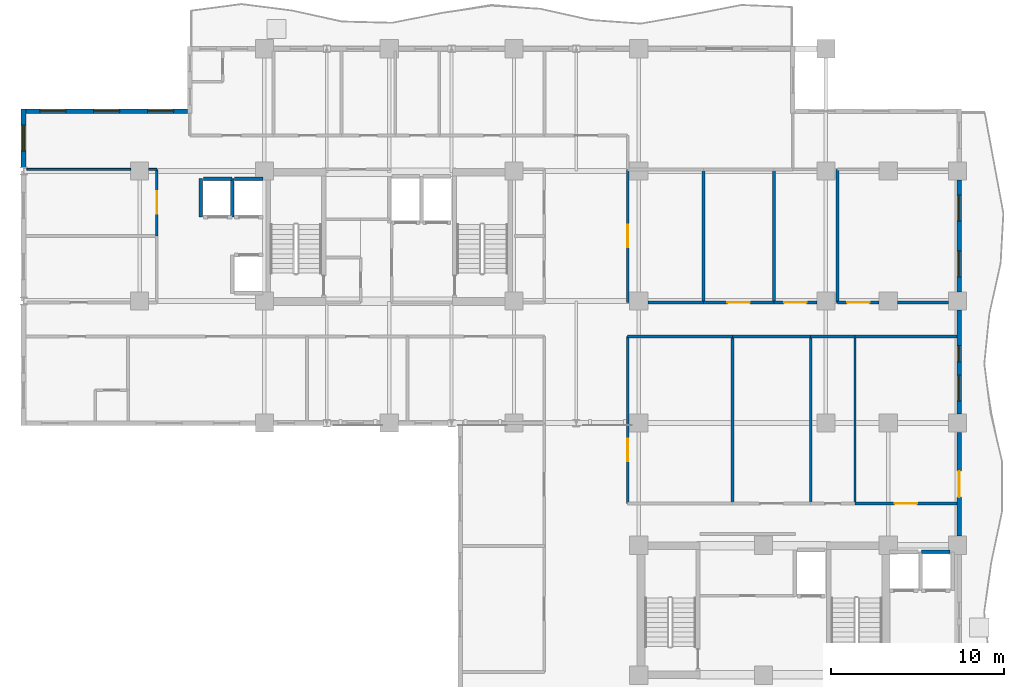
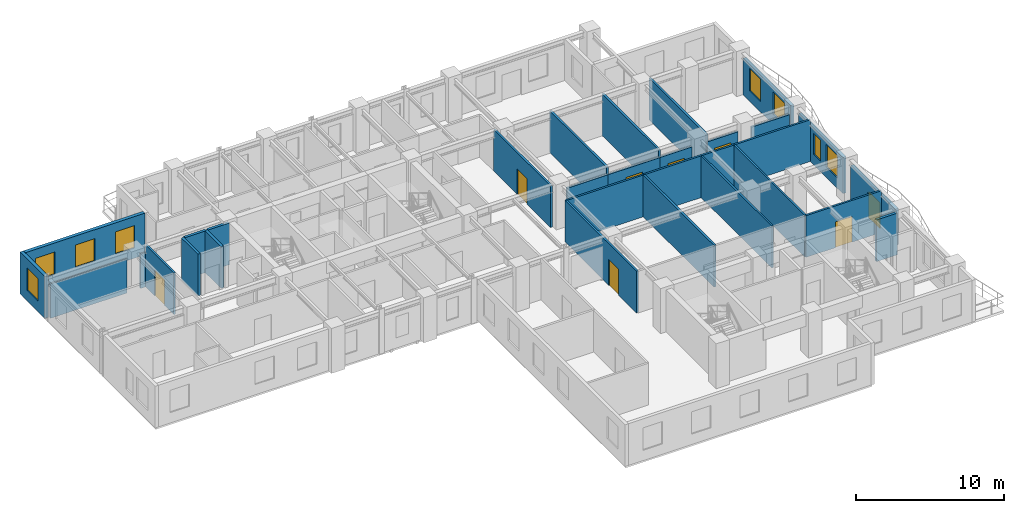
# One storey, part 7 of 13: 31 walls, 8 doors, 8 windows, 16 openings.
"""IFC4 building model written with IfcOpenShell, lengths in metres."""

from ifc_helpers import new_model, si_unit, direction, frame, frame_2d, origin, place, context, subcontext, project, spatial, rectangle, extrude, material, layer, layer_set, type_object, element, fill, save


model = new_model("IFC4")

# Units and contexts
model_context = context("Model", 3, precision=1e-05, world=origin(), true_north=direction((0.0, 1.0)))
body_context = subcontext(model_context, "Body", "Model", "MODEL_VIEW")
ifc_project = project(units=[si_unit("LENGTHUNIT", "METRE"), si_unit("AREAUNIT", "SQUARE_METRE"), si_unit("VOLUMEUNIT", "CUBIC_METRE"), si_unit("PLANEANGLEUNIT", "RADIAN"), si_unit("MASSUNIT", "GRAM", prefix="KILO")], contexts=[model_context])

# Site, building, storey
site_placement = place(None, origin())
site = spatial("IfcSite", under=ifc_project, at=site_placement, CompositionType="ELEMENT")
building_placement = place(site_placement, origin())
building = spatial("IfcBuilding", under=site, at=building_placement, Name="Kaliganga Portal Commons", CompositionType="ELEMENT")
storey_placement = place(building_placement, frame((0.0, 0.0, 180.89990234375)))
storey = spatial("IfcBuildingStorey", under=building, at=storey_placement, Name="L46", CompositionType="ELEMENT", Elevation=180.89990234375)

# Wall, opening, door
ifc_material_1 = material(Name="Insulated Aluminium-Clad Spandrel Assembly", Category="aluminium")
ifc_layer_1 = layer(ifc_material_1, 0.260009765625)
ifc_layer_set_1 = layer_set([ifc_layer_1], Name="Insulated Aluminium-Clad Spandrel Assembly")
wall_type_1 = type_object("IfcWallType", Name="WL-EXT-SPAND-260", PredefinedType="STANDARD", material=ifc_layer_set_1)
wall_1_placement = place(storey_placement, frame((54.5, 21.073974609375, 0.0), z_axis=(0.0, 0.0, 1.0), x_axis=(0.0, -1.0, 0.0)))
wall_1 = element("IfcWall", 1, at=wall_1_placement, inside=storey, type_object=wall_type_1, Name="Exterior Envelope Wall L46 P1-E03-S3", PredefinedType="STANDARD", context=body_context, shape_type="SweptSolid", body=[
    extrude(rectangle(XDim=5.998046875, YDim=0.260009765625, at=frame_2d((2.9990234375, 0.0))), origin(), (0.0, 0.0, 1.0), 2.989990234375),
])
opening_1_placement = place(wall_1_placement, frame((2.2490234375, 0.0, 0.0)))
opening_1 = element("IfcOpeningElement", 2, at=opening_1_placement, cuts=wall_1, Name="Opening BD-01", PredefinedType="OPENING", context=body_context, shape_type="SweptSolid", body=[
    extrude(rectangle(XDim=1.5, YDim=2.14990234375, at=frame_2d((0.75, 1.074951171875))), frame((0.0, 0.14013671875, 0.0), z_axis=(0.0, -1.0, 0.0), x_axis=(1.0, 0.0, 0.0)), (0.0, 0.0, 1.0), 0.280029296875),
])
ifc_material_2 = material(Name="Anodized Aluminium and Laminated Safety Glass", Category="aluminium")
door_type_1 = type_object("IfcDoorType", Name="DR-BALC-1500", OperationType="SLIDING_TO_LEFT", PredefinedType="DOOR", material=ifc_material_2)
door_1_placement = place(opening_1_placement, origin())
door_1 = element("IfcDoor", 3, at=door_1_placement, inside=storey, type_object=door_type_1, Name="Balcony Sliding Door L46 balc_east", OperationType="SLIDING_TO_LEFT", OverallHeight=2.14990234375, OverallWidth=1.5, PredefinedType="DOOR", context=body_context, shape_type="SweptSolid", body=[
    extrude(rectangle(XDim=1.5, YDim=2.14990234375, at=frame_2d((0.75, 1.074951171875))), frame((0.0, 0.02490234375, 0.0), z_axis=(0.0, -1.0, 0.0), x_axis=(1.0, 0.0, 0.0)), (0.0, 0.0, 1.0), 0.050048828125),
])
fill(opening_1, door_1)

# Wall, openings, windows
wall_2_placement = place(storey_placement, frame((54.5, 28.1240234375, 0.0), z_axis=(0.0, 0.0, 1.0), x_axis=(0.0, -1.0, 0.0)))
wall_2 = element("IfcWall", 4, at=wall_2_placement, inside=storey, type_object=wall_type_1, Name="Exterior Envelope Wall L46 P1-E03-S4", PredefinedType="STANDARD", context=body_context, shape_type="SweptSolid", body=[
    extrude(rectangle(XDim=5.998046875, YDim=0.260009765625, at=frame_2d((2.9990234375, 0.0))), origin(), (0.0, 0.0, 1.0), 2.989990234375),
])
opening_2_placement = place(wall_2_placement, frame((3.74853515625, 0.0, 0.85009765625)))
opening_2 = element("IfcOpeningElement", 5, at=opening_2_placement, cuts=wall_2, Name="Opening W-02", PredefinedType="OPENING", context=body_context, shape_type="SweptSolid", body=[
    extrude(rectangle(XDim=1.5, YDim=1.85009765625, at=frame_2d((0.75, 0.925048828125))), frame((0.0, 0.14013671875, 0.0), z_axis=(0.0, -1.0, 0.0), x_axis=(1.0, 0.0, 0.0)), (0.0, 0.0, 1.0), 0.280029296875),
])
opening_3_placement = place(wall_2_placement, frame((2.044189453125, 0.0, 0.85009765625)))
opening_3 = element("IfcOpeningElement", 6, at=opening_3_placement, cuts=wall_2, Name="Opening W-04", PredefinedType="OPENING", context=body_context, shape_type="SweptSolid", body=[
    extrude(rectangle(XDim=0.949951171875, YDim=1.75, at=frame_2d((0.47509765625, 0.875))), frame((0.0, 0.14013671875, 0.0), z_axis=(0.0, -1.0, 0.0), x_axis=(1.0, 0.0, 0.0)), (0.0, 0.0, 1.0), 0.280029296875),
])
ifc_material_3 = material(Name="Thermally Broken Aluminium and Low-E Double Glazing", Category="aluminium")
window_type_1 = type_object("IfcWindowType", Name="WIN-NARROW-950", PartitioningType="SINGLE_PANEL", PredefinedType="WINDOW", material=ifc_material_3)
window_1_placement = place(opening_3_placement, origin())
window_1 = element("IfcWindow", 7, at=window_1_placement, inside=storey, type_object=window_type_1, Name="Facade Window L46-P1E03S4-N5", OverallHeight=1.75, OverallWidth=0.949951171875, PartitioningType="SINGLE_PANEL", PredefinedType="WINDOW", context=body_context, shape_type="SweptSolid", body=[
    extrude(rectangle(XDim=0.949951171875, YDim=1.75, at=frame_2d((0.47509765625, 0.875))), frame((0.0, 0.030029296875, 0.0), z_axis=(0.0, -1.0, 0.0), x_axis=(1.0, 0.0, 0.0)), (0.0, 0.0, 1.0), 0.06005859375),
])
fill(opening_3, window_1)
window_type_2 = type_object("IfcWindowType", Name="WIN-STD-1500", PartitioningType="DOUBLE_PANEL_VERTICAL", PredefinedType="WINDOW", material=ifc_material_3)
window_2_placement = place(opening_2_placement, origin())
window_2 = element("IfcWindow", 8, at=window_2_placement, inside=storey, type_object=window_type_2, Name="Facade Window L46-P1E03S4-01", OverallHeight=1.85009765625, OverallWidth=1.5, PartitioningType="SINGLE_PANEL", PredefinedType="WINDOW", context=body_context, shape_type="SweptSolid", body=[
    extrude(rectangle(XDim=1.5, YDim=1.85009765625, at=frame_2d((0.75, 0.925048828125))), frame((0.0, 0.030029296875, 0.0), z_axis=(0.0, -1.0, 0.0), x_axis=(1.0, 0.0, 0.0)), (0.0, 0.0, 1.0), 0.06005859375),
])
fill(opening_2, window_2)

wall_3_placement = place(storey_placement, frame((54.5, 35.6240234375, 0.0), z_axis=(0.0, 0.0, 1.0), x_axis=(0.0, -1.0, 0.0)))
wall_3 = element("IfcWall", 9, at=wall_3_placement, inside=storey, type_object=wall_type_1, Name="Exterior Envelope Wall L46 P1-E03-S5", PredefinedType="STANDARD", context=body_context, shape_type="SweptSolid", body=[
    extrude(rectangle(XDim=6.447998046875, YDim=0.260009765625, at=frame_2d((3.22412109375, 0.0))), origin(), (0.0, 0.0, 1.0), 2.989990234375),
])
opening_4_placement = place(wall_3_placement, frame((0.862060546875, 0.0, 0.85009765625)))
opening_4 = element("IfcOpeningElement", 10, at=opening_4_placement, cuts=wall_3, Name="Opening W-02", PredefinedType="OPENING", context=body_context, shape_type="SweptSolid", body=[
    extrude(rectangle(XDim=1.5, YDim=1.85009765625, at=frame_2d((0.75, 0.925048828125))), frame((0.0, 0.14013671875, 0.0), z_axis=(0.0, -1.0, 0.0), x_axis=(1.0, 0.0, 0.0)), (0.0, 0.0, 1.0), 0.280029296875),
])
opening_5_placement = place(wall_3_placement, frame((4.0859375, 0.0, 0.85009765625)))
opening_5 = element("IfcOpeningElement", 11, at=opening_5_placement, cuts=wall_3, Name="Opening W-02", PredefinedType="OPENING", context=body_context, shape_type="SweptSolid", body=[
    extrude(rectangle(XDim=1.5, YDim=1.85009765625, at=frame_2d((0.75, 0.925048828125))), frame((0.0, 0.14013671875, 0.0), z_axis=(0.0, -1.0, 0.0), x_axis=(1.0, 0.0, 0.0)), (0.0, 0.0, 1.0), 0.280029296875),
])
window_3_placement = place(opening_4_placement, origin())
window_3 = element("IfcWindow", 12, at=window_3_placement, inside=storey, type_object=window_type_2, Name="Facade Window L46-P1E03S5-00", OverallHeight=1.85009765625, OverallWidth=1.5, PartitioningType="SINGLE_PANEL", PredefinedType="WINDOW", context=body_context, shape_type="SweptSolid", body=[
    extrude(rectangle(XDim=1.5, YDim=1.85009765625, at=frame_2d((0.75, 0.925048828125))), frame((0.0, 0.030029296875, 0.0), z_axis=(0.0, -1.0, 0.0), x_axis=(1.0, 0.0, 0.0)), (0.0, 0.0, 1.0), 0.06005859375),
])
fill(opening_4, window_3)
window_4_placement = place(opening_5_placement, origin())
window_4 = element("IfcWindow", 13, at=window_4_placement, inside=storey, type_object=window_type_2, Name="Facade Window L46-P1E03S5-01", OverallHeight=1.85009765625, OverallWidth=1.5, PartitioningType="SINGLE_PANEL", PredefinedType="WINDOW", context=body_context, shape_type="SweptSolid", body=[
    extrude(rectangle(XDim=1.5, YDim=1.85009765625, at=frame_2d((0.75, 0.925048828125))), frame((0.0, 0.030029296875, 0.0), z_axis=(0.0, -1.0, 0.0), x_axis=(1.0, 0.0, 0.0)), (0.0, 0.0, 1.0), 0.06005859375),
])
fill(opening_5, window_4)

wall_4_placement = place(storey_placement, frame((0.635009765625, 39.60009765625, 0.0), z_axis=(0.0, 0.0, 1.0), x_axis=(1.0, 0.0, 0.0)))
wall_4 = element("IfcWall", 14, at=wall_4_placement, inside=storey, type_object=wall_type_1, Name="Exterior Envelope Wall L46 P1-E08-S1", PredefinedType="STANDARD", context=body_context, shape_type="SweptSolid", body=[
    extrude(rectangle(XDim=9.330078125, YDim=0.260009765625, at=frame_2d((4.6650390625, 0.0))), origin(), (0.0, 0.0, 1.0), 3.440185546875),
])
opening_6_placement = place(wall_4_placement, frame((0.804931640625, 0.0, 0.85009765625)))
opening_6 = element("IfcOpeningElement", 15, at=opening_6_placement, cuts=wall_4, Name="Opening W-02", PredefinedType="OPENING", context=body_context, shape_type="SweptSolid", body=[
    extrude(rectangle(XDim=1.5, YDim=1.85009765625, at=frame_2d((0.75, 0.925048828125))), frame((0.0, 0.14013671875, 0.0), z_axis=(0.0, -1.0, 0.0), x_axis=(1.0, 0.0, 0.0)), (0.0, 0.0, 1.0), 0.280029296875),
])
opening_7_placement = place(wall_4_placement, frame((3.9150390625, 0.0, 0.85009765625)))
opening_7 = element("IfcOpeningElement", 16, at=opening_7_placement, cuts=wall_4, Name="Opening W-02", PredefinedType="OPENING", context=body_context, shape_type="SweptSolid", body=[
    extrude(rectangle(XDim=1.5, YDim=1.85009765625, at=frame_2d((0.75, 0.925048828125))), frame((0.0, 0.14013671875, 0.0), z_axis=(0.0, -1.0, 0.0), x_axis=(1.0, 0.0, 0.0)), (0.0, 0.0, 1.0), 0.280029296875),
])
opening_8_placement = place(wall_4_placement, frame((7.02490234375, 0.0, 0.85009765625)))
opening_8 = element("IfcOpeningElement", 17, at=opening_8_placement, cuts=wall_4, Name="Opening W-02", PredefinedType="OPENING", context=body_context, shape_type="SweptSolid", body=[
    extrude(rectangle(XDim=1.5, YDim=1.85009765625, at=frame_2d((0.75, 0.925048828125))), frame((0.0, 0.14013671875, 0.0), z_axis=(0.0, -1.0, 0.0), x_axis=(1.0, 0.0, 0.0)), (0.0, 0.0, 1.0), 0.280029296875),
])
window_5_placement = place(opening_6_placement, origin())
window_5 = element("IfcWindow", 18, at=window_5_placement, inside=storey, type_object=window_type_2, Name="Facade Window L46-P1E08S1-00", OverallHeight=1.85009765625, OverallWidth=1.5, PartitioningType="SINGLE_PANEL", PredefinedType="WINDOW", context=body_context, shape_type="SweptSolid", body=[
    extrude(rectangle(XDim=1.5, YDim=1.85009765625, at=frame_2d((0.75, 0.925048828125))), frame((0.0, 0.030029296875, 0.0), z_axis=(0.0, -1.0, 0.0), x_axis=(1.0, 0.0, 0.0)), (0.0, 0.0, 1.0), 0.06005859375),
])
fill(opening_6, window_5)
window_6_placement = place(opening_7_placement, origin())
window_6 = element("IfcWindow", 19, at=window_6_placement, inside=storey, type_object=window_type_2, Name="Facade Window L46-P1E08S1-01", OverallHeight=1.85009765625, OverallWidth=1.5, PartitioningType="SINGLE_PANEL", PredefinedType="WINDOW", context=body_context, shape_type="SweptSolid", body=[
    extrude(rectangle(XDim=1.5, YDim=1.85009765625, at=frame_2d((0.75, 0.925048828125))), frame((0.0, 0.030029296875, 0.0), z_axis=(0.0, -1.0, 0.0), x_axis=(1.0, 0.0, 0.0)), (0.0, 0.0, 1.0), 0.06005859375),
])
fill(opening_7, window_6)
window_7_placement = place(opening_8_placement, origin())
window_7 = element("IfcWindow", 20, at=window_7_placement, inside=storey, type_object=window_type_2, Name="Facade Window L46-P1E08S1-02", OverallHeight=1.85009765625, OverallWidth=1.5, PartitioningType="SINGLE_PANEL", PredefinedType="WINDOW", context=body_context, shape_type="SweptSolid", body=[
    extrude(rectangle(XDim=1.5, YDim=1.85009765625, at=frame_2d((0.75, 0.925048828125))), frame((0.0, 0.030029296875, 0.0), z_axis=(0.0, -1.0, 0.0), x_axis=(1.0, 0.0, 0.0)), (0.0, 0.0, 1.0), 0.06005859375),
])
fill(opening_8, window_7)

# Wall, opening, window
wall_5_placement = place(storey_placement, frame((0.5, 36.35791015625, 0.0), z_axis=(0.0, 0.0, 1.0), x_axis=(0.0, 1.0, 0.0)))
wall_5 = element("IfcWall", 21, at=wall_5_placement, inside=storey, type_object=wall_type_1, Name="Exterior Envelope Wall L46 P1-E09-S1", PredefinedType="STANDARD", context=body_context, shape_type="SweptSolid", body=[
    extrude(rectangle(XDim=3.3720703125, YDim=0.260009765625, at=frame_2d((1.68603515625, 0.0))), origin(), (0.0, 0.0, 1.0), 3.440185546875),
])
opening_9_placement = place(wall_5_placement, frame((0.93603515625, 0.0, 0.85009765625)))
opening_9 = element("IfcOpeningElement", 22, at=opening_9_placement, cuts=wall_5, Name="Opening W-02", PredefinedType="OPENING", context=body_context, shape_type="SweptSolid", body=[
    extrude(rectangle(XDim=1.5, YDim=1.85009765625, at=frame_2d((0.75, 0.925048828125))), frame((0.0, 0.14013671875, 0.0), z_axis=(0.0, -1.0, 0.0), x_axis=(1.0, 0.0, 0.0)), (0.0, 0.0, 1.0), 0.280029296875),
])
window_8_placement = place(opening_9_placement, origin())
window_8 = element("IfcWindow", 23, at=window_8_placement, inside=storey, type_object=window_type_2, Name="Facade Window L46-P1E09S1-00", OverallHeight=1.85009765625, OverallWidth=1.5, PartitioningType="SINGLE_PANEL", PredefinedType="WINDOW", context=body_context, shape_type="SweptSolid", body=[
    extrude(rectangle(XDim=1.5, YDim=1.85009765625, at=frame_2d((0.75, 0.925048828125))), frame((0.0, 0.030029296875, 0.0), z_axis=(0.0, -1.0, 0.0), x_axis=(1.0, 0.0, 0.0)), (0.0, 0.0, 1.0), 0.06005859375),
])
fill(opening_9, window_8)

# Wall, opening, door
ifc_material_4 = material(Name="Fire-Rated Gypsum Board on Steel Stud", Category="steel")
ifc_layer_2 = layer(ifc_material_4, 0.14990234375)
ifc_layer_set_2 = layer_set([ifc_layer_2], Name="Fire-Rated Gypsum Board on Steel Stud")
wall_type_2 = type_object("IfcWallType", Name="WL-PART-CORR-150", PredefinedType="PARTITIONING", material=ifc_layer_set_2)
wall_6_placement = place(storey_placement, frame((35.360107421875, 16.9599609375, 0.0), z_axis=(0.0, 0.0, 1.0), x_axis=(0.0, 1.0, 0.0)))
wall_6 = element("IfcWall", 24, at=wall_6_placement, inside=storey, type_object=wall_type_2, Name="Interior Partition L46-007", PredefinedType="PARTITIONING", context=body_context, shape_type="SweptSolid", body=[
    extrude(rectangle(XDim=9.64013671875, YDim=0.14990234375, at=frame_2d((4.820068359375, 0.0))), origin(), (0.0, 0.0, 1.0), 3.440185546875),
])
opening_10_placement = place(wall_6_placement, frame((2.434814453125, 0.0, 0.0)))
opening_10 = element("IfcOpeningElement", 25, at=opening_10_placement, cuts=wall_6, Name="Opening RD-03", PredefinedType="OPENING", context=body_context, shape_type="SweptSolid", body=[
    extrude(rectangle(XDim=1.300048828125, YDim=2.1201171875, at=frame_2d((0.64990234375, 1.06005859375))), frame((0.0, 0.0849609375, 0.0), z_axis=(0.0, -1.0, 0.0), x_axis=(1.0, 0.0, 0.0)), (0.0, 0.0, 1.0), 0.169921875),
])
ifc_material_5 = material(Name="Glazed Timber Seminar Vision Door", Category="wood")
door_type_2 = type_object("IfcDoorType", Name="DR-STUDY-1300", OperationType="DOUBLE_DOOR_SINGLE_SWING", PredefinedType="DOOR", material=ifc_material_5)
door_2_placement = place(opening_10_placement, origin())
door_2 = element("IfcDoor", 26, at=door_2_placement, inside=storey, type_object=door_type_2, Name="Interior Door L46-BM01", OperationType="DOUBLE_DOOR_SINGLE_SWING", OverallHeight=2.1201171875, OverallWidth=1.300048828125, PredefinedType="DOOR", context=body_context, shape_type="SweptSolid", body=[
    extrude(rectangle(XDim=1.300048828125, YDim=2.1201171875, at=frame_2d((0.64990234375, 1.06005859375))), frame((0.0, 0.02490234375, 0.0), z_axis=(0.0, -1.0, 0.0), x_axis=(1.0, 0.0, 0.0)), (0.0, 0.0, 1.0), 0.050048828125),
])
fill(opening_10, door_2)

wall_7_placement = place(storey_placement, frame((35.360107421875, 28.56005859375, 0.0), z_axis=(0.0, 0.0, 1.0), x_axis=(0.0, 1.0, 0.0)))
wall_7 = element("IfcWall", 27, at=wall_7_placement, inside=storey, type_object=wall_type_2, Name="Interior Partition L46-011", PredefinedType="PARTITIONING", context=body_context, shape_type="SweptSolid", body=[
    extrude(rectangle(XDim=7.679931640625, YDim=0.14990234375, at=frame_2d((3.83984375, 0.0))), origin(), (0.0, 0.0, 1.0), 3.440185546875),
])
opening_11_placement = place(wall_7_placement, frame((3.18994140625, 0.0, 0.0)))
opening_11 = element("IfcOpeningElement", 28, at=opening_11_placement, cuts=wall_7, Name="Opening RD-03", PredefinedType="OPENING", context=body_context, shape_type="SweptSolid", body=[
    extrude(rectangle(XDim=1.300048828125, YDim=2.1201171875, at=frame_2d((0.64990234375, 1.06005859375))), frame((0.0, 0.0849609375, 0.0), z_axis=(0.0, -1.0, 0.0), x_axis=(1.0, 0.0, 0.0)), (0.0, 0.0, 1.0), 0.169921875),
])
door_3_placement = place(opening_11_placement, origin())
door_3 = element("IfcDoor", 29, at=door_3_placement, inside=storey, type_object=door_type_2, Name="Interior Door L46-BK01", OperationType="DOUBLE_DOOR_SINGLE_SWING", OverallHeight=2.1201171875, OverallWidth=1.300048828125, PredefinedType="DOOR", context=body_context, shape_type="SweptSolid", body=[
    extrude(rectangle(XDim=1.300048828125, YDim=2.1201171875, at=frame_2d((0.64990234375, 1.06005859375))), frame((0.0, 0.02490234375, 0.0), z_axis=(0.0, -1.0, 0.0), x_axis=(1.0, 0.0, 0.0)), (0.0, 0.0, 1.0), 0.050048828125),
])
fill(opening_11, door_3)

wall_8_placement = place(storey_placement, frame((47.47998046875, 28.56005859375, 0.0), z_axis=(0.0, 0.0, 1.0), x_axis=(1.0, 0.0, 0.0)))
wall_8 = element("IfcWall", 30, at=wall_8_placement, inside=storey, type_object=wall_type_2, Name="Interior Partition L46-014", PredefinedType="PARTITIONING", context=body_context, shape_type="SweptSolid", body=[
    extrude(rectangle(XDim=2.39501953125, YDim=0.14990234375, at=frame_2d((1.197509765625, 0.0))), origin(), (0.0, 0.0, 1.0), 2.840087890625),
])
opening_12_placement = place(wall_8_placement, frame((0.547607421875, 0.0, 0.0)))
opening_12 = element("IfcOpeningElement", 31, at=opening_12_placement, cuts=wall_8, Name="Opening RD-03", PredefinedType="OPENING", context=body_context, shape_type="SweptSolid", body=[
    extrude(rectangle(XDim=1.300048828125, YDim=2.1201171875, at=frame_2d((0.64990234375, 1.06005859375))), frame((0.0, 0.0849609375, 0.0), z_axis=(0.0, -1.0, 0.0), x_axis=(1.0, 0.0, 0.0)), (0.0, 0.0, 1.0), 0.169921875),
])
door_4_placement = place(opening_12_placement, origin())
door_4 = element("IfcDoor", 32, at=door_4_placement, inside=storey, type_object=door_type_2, Name="Interior Door L46-BK04", OperationType="DOUBLE_DOOR_SINGLE_SWING", OverallHeight=2.1201171875, OverallWidth=1.300048828125, PredefinedType="DOOR", context=body_context, shape_type="SweptSolid", body=[
    extrude(rectangle(XDim=1.300048828125, YDim=2.1201171875, at=frame_2d((0.64990234375, 1.06005859375))), frame((0.0, 0.02490234375, 0.0), z_axis=(0.0, -1.0, 0.0), x_axis=(1.0, 0.0, 0.0)), (0.0, 0.0, 1.0), 0.050048828125),
])
fill(opening_12, door_4)

# Walls
wall_9_placement = place(storey_placement, frame((50.925048828125, 28.56005859375, 0.0), z_axis=(0.0, 0.0, 1.0), x_axis=(1.0, 0.0, 0.0)))
element("IfcWall", 33, at=wall_9_placement, inside=storey, type_object=wall_type_2, Name="Interior Partition L46-015", PredefinedType="PARTITIONING", context=body_context, shape_type="SweptSolid", body=[
    extrude(rectangle(XDim=2.949951171875, YDim=0.14990234375, at=frame_2d((1.47509765625, 0.0))), origin(), (0.0, 0.0, 1.0), 2.840087890625),
])
wall_10_placement = place(storey_placement, frame((35.360107421875, 26.60009765625, 0.0), z_axis=(0.0, 0.0, 1.0), x_axis=(1.0, 0.0, 0.0)))
element("IfcWall", 34, at=wall_10_placement, inside=storey, type_object=wall_type_2, Name="Interior Partition L46-017", PredefinedType="PARTITIONING", context=body_context, shape_type="SweptSolid", body=[
    extrude(rectangle(XDim=6.059814453125, YDim=0.14990234375, at=frame_2d((3.02978515625, 0.0))), origin(), (0.0, 0.0, 1.0), 3.440185546875),
])

# Wall, opening, door
wall_11_placement = place(storey_placement, frame((48.47998046875, 16.9599609375, 0.0), z_axis=(0.0, 0.0, 1.0), x_axis=(1.0, 0.0, 0.0)))
wall_11 = element("IfcWall", 35, at=wall_11_placement, inside=storey, type_object=wall_type_2, Name="Interior Partition L46-020", PredefinedType="PARTITIONING", context=body_context, shape_type="SweptSolid", body=[
    extrude(rectangle(XDim=5.887939453125, YDim=0.14990234375, at=frame_2d((2.94384765625, 0.0))), origin(), (0.0, 0.0, 1.0), 3.440185546875),
])
opening_13_placement = place(wall_11_placement, frame((2.2939453125, 0.0, 0.0)))
opening_13 = element("IfcOpeningElement", 36, at=opening_13_placement, cuts=wall_11, Name="Opening RD-03", PredefinedType="OPENING", context=body_context, shape_type="SweptSolid", body=[
    extrude(rectangle(XDim=1.300048828125, YDim=2.1201171875, at=frame_2d((0.64990234375, 1.06005859375))), frame((0.0, 0.0849609375, 0.0), z_axis=(0.0, -1.0, 0.0), x_axis=(1.0, 0.0, 0.0)), (0.0, 0.0, 1.0), 0.169921875),
])
door_5_placement = place(opening_13_placement, origin())
door_5 = element("IfcDoor", 37, at=door_5_placement, inside=storey, type_object=door_type_2, Name="Interior Door L46-BM04", OperationType="DOUBLE_DOOR_SINGLE_SWING", OverallHeight=2.1201171875, OverallWidth=1.300048828125, PredefinedType="DOOR", context=body_context, shape_type="SweptSolid", body=[
    extrude(rectangle(XDim=1.300048828125, YDim=2.1201171875, at=frame_2d((0.64990234375, 1.06005859375))), frame((0.0, 0.02490234375, 0.0), z_axis=(0.0, -1.0, 0.0), x_axis=(1.0, 0.0, 0.0)), (0.0, 0.0, 1.0), 0.050048828125),
])
fill(opening_13, door_5)

# Walls
wall_12_placement = place(storey_placement, frame((48.47998046875, 26.60009765625, 0.0), z_axis=(0.0, 0.0, 1.0), x_axis=(1.0, 0.0, 0.0)))
element("IfcWall", 38, at=wall_12_placement, inside=storey, type_object=wall_type_2, Name="Interior Partition L46-021", PredefinedType="PARTITIONING", context=body_context, shape_type="SweptSolid", body=[
    extrude(rectangle(XDim=5.887939453125, YDim=0.14990234375, at=frame_2d((2.94384765625, 0.0))), origin(), (0.0, 0.0, 1.0), 3.440185546875),
])
wall_13_placement = place(storey_placement, frame((41.419921875, 26.60009765625, 0.0), z_axis=(0.0, 0.0, 1.0), x_axis=(1.0, 0.0, 0.0)))
element("IfcWall", 39, at=wall_13_placement, inside=storey, type_object=wall_type_2, Name="Interior Partition L46-030", PredefinedType="PARTITIONING", context=body_context, shape_type="SweptSolid", body=[
    extrude(rectangle(XDim=4.5, YDim=0.14990234375, at=frame_2d((2.25, 0.0))), origin(), (0.0, 0.0, 1.0), 3.440185546875),
])
wall_14_placement = place(storey_placement, frame((36.52490234375, 28.56005859375, 0.0), z_axis=(0.0, 0.0, 1.0), x_axis=(1.0, 0.0, 0.0)))
element("IfcWall", 40, at=wall_14_placement, inside=storey, type_object=wall_type_2, Name="Interior Partition L46-031", PredefinedType="PARTITIONING", context=body_context, shape_type="SweptSolid", body=[
    extrude(rectangle(XDim=3.215087890625, YDim=0.14990234375, at=frame_2d((1.607421875, 0.0))), origin(), (0.0, 0.0, 1.0), 2.840087890625),
])

# Wall, opening, door
wall_15_placement = place(storey_placement, frame((39.739990234375, 28.56005859375, 0.0), z_axis=(0.0, 0.0, 1.0), x_axis=(1.0, 0.0, 0.0)))
wall_15 = element("IfcWall", 41, at=wall_15_placement, inside=storey, type_object=wall_type_2, Name="Interior Partition L46-032", PredefinedType="PARTITIONING", context=body_context, shape_type="SweptSolid", body=[
    extrude(rectangle(XDim=4.06005859375, YDim=0.14990234375, at=frame_2d((2.030029296875, 0.0))), origin(), (0.0, 0.0, 1.0), 2.840087890625),
])
opening_14_placement = place(wall_15_placement, frame((1.3798828125, 0.0, 0.0)))
opening_14 = element("IfcOpeningElement", 42, at=opening_14_placement, cuts=wall_15, Name="Opening RD-03", PredefinedType="OPENING", context=body_context, shape_type="SweptSolid", body=[
    extrude(rectangle(XDim=1.300048828125, YDim=2.1201171875, at=frame_2d((0.64990234375, 1.06005859375))), frame((0.0, 0.0849609375, 0.0), z_axis=(0.0, -1.0, 0.0), x_axis=(1.0, 0.0, 0.0)), (0.0, 0.0, 1.0), 0.169921875),
])
door_6_placement = place(opening_14_placement, origin())
door_6 = element("IfcDoor", 43, at=door_6_placement, inside=storey, type_object=door_type_2, Name="Interior Door L46-BK02", OperationType="DOUBLE_DOOR_SINGLE_SWING", OverallHeight=2.1201171875, OverallWidth=1.300048828125, PredefinedType="DOOR", context=body_context, shape_type="SweptSolid", body=[
    extrude(rectangle(XDim=1.300048828125, YDim=2.1201171875, at=frame_2d((0.64990234375, 1.06005859375))), frame((0.0, 0.02490234375, 0.0), z_axis=(0.0, -1.0, 0.0), x_axis=(1.0, 0.0, 0.0)), (0.0, 0.0, 1.0), 0.050048828125),
])
fill(opening_14, door_6)

wall_16_placement = place(storey_placement, frame((8.199951171875, 32.39990234375, 0.0), z_axis=(0.0, 0.0, 1.0), x_axis=(0.0, 1.0, 0.0)))
wall_16 = element("IfcWall", 44, at=wall_16_placement, inside=storey, type_object=wall_type_2, Name="Interior Partition L46-034", PredefinedType="PARTITIONING", context=body_context, shape_type="SweptSolid", body=[
    extrude(rectangle(XDim=3.840087890625, YDim=0.14990234375, at=frame_2d((1.919921875, 0.0))), origin(), (0.0, 0.0, 1.0), 3.440185546875),
])
opening_15_placement = place(wall_16_placement, frame((1.27001953125, 0.0, 0.0)))
opening_15 = element("IfcOpeningElement", 45, at=opening_15_placement, cuts=wall_16, Name="Opening RD-03", PredefinedType="OPENING", context=body_context, shape_type="SweptSolid", body=[
    extrude(rectangle(XDim=1.300048828125, YDim=2.1201171875, at=frame_2d((0.64990234375, 1.06005859375))), frame((0.0, 0.0849609375, 0.0), z_axis=(0.0, -1.0, 0.0), x_axis=(1.0, 0.0, 0.0)), (0.0, 0.0, 1.0), 0.169921875),
])
door_7_placement = place(opening_15_placement, origin())
door_7 = element("IfcDoor", 46, at=door_7_placement, inside=storey, type_object=door_type_2, Name="Interior Door L46-AW02", OperationType="DOUBLE_DOOR_SINGLE_SWING", OverallHeight=2.1201171875, OverallWidth=1.300048828125, PredefinedType="DOOR", context=body_context, shape_type="SweptSolid", body=[
    extrude(rectangle(XDim=1.300048828125, YDim=2.1201171875, at=frame_2d((0.64990234375, 1.06005859375))), frame((0.0, 0.02490234375, 0.0), z_axis=(0.0, -1.0, 0.0), x_axis=(1.0, 0.0, 0.0)), (0.0, 0.0, 1.0), 0.050048828125),
])
fill(opening_15, door_7)

wall_17_placement = place(storey_placement, frame((43.800048828125, 28.56005859375, 0.0), z_axis=(0.0, 0.0, 1.0), x_axis=(1.0, 0.0, 0.0)))
wall_17 = element("IfcWall", 47, at=wall_17_placement, inside=storey, type_object=wall_type_2, Name="Interior Partition L46-038", PredefinedType="PARTITIONING", context=body_context, shape_type="SweptSolid", body=[
    extrude(rectangle(XDim=2.474853515625, YDim=0.14990234375, at=frame_2d((1.2373046875, 0.0))), origin(), (0.0, 0.0, 1.0), 2.840087890625),
])
opening_16_placement = place(wall_17_placement, frame((0.58740234375, 0.0, 0.0)))
opening_16 = element("IfcOpeningElement", 48, at=opening_16_placement, cuts=wall_17, Name="Opening RD-03", PredefinedType="OPENING", context=body_context, shape_type="SweptSolid", body=[
    extrude(rectangle(XDim=1.300048828125, YDim=2.1201171875, at=frame_2d((0.64990234375, 1.06005859375))), frame((0.0, 0.0849609375, 0.0), z_axis=(0.0, -1.0, 0.0), x_axis=(1.0, 0.0, 0.0)), (0.0, 0.0, 1.0), 0.169921875),
])
door_8_placement = place(opening_16_placement, origin())
door_8 = element("IfcDoor", 49, at=door_8_placement, inside=storey, type_object=door_type_2, Name="Interior Door L46-BK03", OperationType="DOUBLE_DOOR_SINGLE_SWING", OverallHeight=2.1201171875, OverallWidth=1.300048828125, PredefinedType="DOOR", context=body_context, shape_type="SweptSolid", body=[
    extrude(rectangle(XDim=1.300048828125, YDim=2.1201171875, at=frame_2d((0.64990234375, 1.06005859375))), frame((0.0, 0.02490234375, 0.0), z_axis=(0.0, -1.0, 0.0), x_axis=(1.0, 0.0, 0.0)), (0.0, 0.0, 1.0), 0.050048828125),
])
fill(opening_16, door_8)

# Walls
wall_18_placement = place(storey_placement, frame((45.919921875, 26.60009765625, 0.0), z_axis=(0.0, 0.0, 1.0), x_axis=(1.0, 0.0, 0.0)))
element("IfcWall", 50, at=wall_18_placement, inside=storey, type_object=wall_type_2, Name="Interior Partition L46-043", PredefinedType="PARTITIONING", context=body_context, shape_type="SweptSolid", body=[
    extrude(rectangle(XDim=2.56005859375, YDim=0.14990234375, at=frame_2d((1.280029296875, 0.0))), origin(), (0.0, 0.0, 1.0), 3.440185546875),
])
ifc_material_6 = material(Name="Moisture-Resistant Gypsum Partition", Category="gypsum")
ifc_layer_3 = layer(ifc_material_6, 0.114990234375)
ifc_layer_set_3 = layer_set([ifc_layer_3], Name="Moisture-Resistant Gypsum Partition")
wall_type_3 = type_object("IfcWallType", Name="WL-PART-ROOM-115", PredefinedType="PARTITIONING", material=ifc_layer_set_3)
wall_19_placement = place(storey_placement, frame((0.701904296875, 36.239990234375, 0.0), z_axis=(0.0, 0.0, 1.0), x_axis=(1.0, 0.0, 0.0)))
element("IfcWall", 51, at=wall_19_placement, inside=storey, type_object=wall_type_3, Name="Interior Partition L46-056", PredefinedType="PARTITIONING", context=body_context, shape_type="SweptSolid", body=[
    extrude(rectangle(XDim=5.97314453125, YDim=0.114990234375, at=frame_2d((2.986572265625, 0.0))), origin(), (0.0, 0.0, 1.0), 2.840087890625),
])
wall_20_placement = place(storey_placement, frame((7.72509765625, 36.239990234375, 0.0), z_axis=(0.0, 0.0, 1.0), x_axis=(1.0, 0.0, 0.0)))
element("IfcWall", 52, at=wall_20_placement, inside=storey, type_object=wall_type_3, Name="Interior Partition L46-057", PredefinedType="PARTITIONING", context=body_context, shape_type="SweptSolid", body=[
    extrude(rectangle(XDim=0.474853515625, YDim=0.114990234375, at=frame_2d((0.2373046875, 0.0))), origin(), (0.0, 0.0, 1.0), 2.840087890625),
])
ifc_material_7 = material(Name="Twin-Stud Acoustic Gypsum Partition", Category="gypsum")
ifc_layer_4 = layer(ifc_material_7, 0.1650390625)
ifc_layer_set_4 = layer_set([ifc_layer_4], Name="Twin-Stud Acoustic Gypsum Partition")
wall_type_4 = type_object("IfcWallType", Name="WL-PART-UNIT-165", PredefinedType="PARTITIONING", material=ifc_layer_set_4)
wall_21_placement = place(storey_placement, frame((41.419921875, 16.9599609375, 0.0), z_axis=(0.0, 0.0, 1.0), x_axis=(0.0, 1.0, 0.0)))
element("IfcWall", 53, at=wall_21_placement, inside=storey, type_object=wall_type_4, Name="Interior Partition L46-052", PredefinedType="PARTITIONING", context=body_context, shape_type="SweptSolid", body=[
    extrude(rectangle(XDim=9.64013671875, YDim=0.1650390625, at=frame_2d((4.820068359375, 0.0))), origin(), (0.0, 0.0, 1.0), 3.440185546875),
])
for number, where, z_axis, x_axis, name in (
    (54, (39.739990234375, 28.56005859375, 0.0), (0.0, 0.0, 1.0), (0.0, 1.0, 0.0), "Interior Partition L46-058"),
    (55, (43.800048828125, 28.56005859375, 0.0), (0.0, 0.0, 1.0), (0.0, 1.0, 0.0), "Interior Partition L46-059"),
    (56, (47.47998046875, 28.56005859375, 0.0), (0.0, 0.0, 1.0), (0.0, 1.0, 0.0), "Interior Partition L46-060"),
):
    element("IfcWall", number, at=place(storey_placement, frame(where, z_axis=z_axis, x_axis=x_axis)), inside=storey, type_object=wall_type_4, Name=name, PredefinedType="PARTITIONING", context=body_context, shape_type="SweptSolid", body=[
        extrude(rectangle(XDim=7.679931640625, YDim=0.1650390625, at=frame_2d((3.83984375, 0.0))), origin(), (0.0, 0.0, 1.0), 3.440185546875),
    ])
ifc_material_8 = material(Name="Cement-Board Wet-Room Partition", Category="gypsum")
ifc_layer_5 = layer(ifc_material_8, 0.135009765625)
ifc_layer_set_5 = layer_set([ifc_layer_5], Name="Cement-Board Wet-Room Partition")
wall_type_5 = type_object("IfcWallType", Name="WL-PART-WET-135", PredefinedType="PARTITIONING", material=ifc_layer_set_5)
for number, where, z_axis, x_axis, name in (
    (57, (45.919921875, 16.9599609375, 0.0), (0.0, 0.0, 1.0), (0.0, 1.0, 0.0), "Interior Partition L46-053"),
    (58, (48.47998046875, 16.9599609375, 0.0), (0.0, 0.0, 1.0), (0.0, 1.0, 0.0), "Interior Partition L46-054"),
):
    element("IfcWall", number, at=place(storey_placement, frame(where, z_axis=z_axis, x_axis=x_axis)), inside=storey, type_object=wall_type_5, Name=name, PredefinedType="PARTITIONING", context=body_context, shape_type="SweptSolid", body=[
        extrude(rectangle(XDim=9.64013671875, YDim=0.135009765625, at=frame_2d((4.820068359375, 0.0))), origin(), (0.0, 0.0, 1.0), 3.440185546875),
    ])
ifc_material_9 = material(Name="Fire-Rated Shaftwall Masonry Assembly", Category="masonry")
ifc_layer_6 = layer(ifc_material_9, 0.199951171875)
ifc_layer_set_6 = layer_set([ifc_layer_6], Name="Fire-Rated Shaftwall Masonry Assembly")
wall_type_6 = type_object("IfcWallType", Name="WL-SHAFT-200", PredefinedType="PARTITIONING", material=ifc_layer_set_6)
wall_22_placement = place(storey_placement, frame((12.675048828125, 35.715087890625, 0.0), z_axis=(0.0, 0.0, 1.0), x_axis=(1.0, 0.0, 0.0)))
element("IfcWall", 59, at=wall_22_placement, inside=storey, type_object=wall_type_6, Name="Lift PL-A3 Hoistway Shaft Wall L46-N", PredefinedType="PARTITIONING", context=body_context, shape_type="SweptSolid", body=[
    extrude(rectangle(XDim=1.64990234375, YDim=0.199951171875, at=frame_2d((0.824951171875, 0.0))), origin(), (0.0, 0.0, 1.0), 3.440185546875),
])
wall_23_placement = place(storey_placement, frame((12.534912109375, 33.485107421875, 0.0), z_axis=(0.0, 0.0, 1.0), x_axis=(0.0, 1.0, 0.0)))
element("IfcWall", 60, at=wall_23_placement, inside=storey, type_object=wall_type_6, Name="Lift PL-A3 Hoistway Shaft Wall L46-W", PredefinedType="PARTITIONING", context=body_context, shape_type="SweptSolid", body=[
    extrude(rectangle(XDim=2.22998046875, YDim=0.199951171875, at=frame_2d((1.114990234375, 0.0))), origin(), (0.0, 0.0, 1.0), 3.440185546875),
])
wall_24_placement = place(storey_placement, frame((10.875, 35.715087890625, 0.0), z_axis=(0.0, 0.0, 1.0), x_axis=(1.0, 0.0, 0.0)))
element("IfcWall", 61, at=wall_24_placement, inside=storey, type_object=wall_type_6, Name="Lift PL-OBS Hoistway Shaft Wall L46-N", PredefinedType="PARTITIONING", context=body_context, shape_type="SweptSolid", body=[
    extrude(rectangle(XDim=1.64990234375, YDim=0.199951171875, at=frame_2d((0.824951171875, 0.0))), origin(), (0.0, 0.0, 1.0), 3.440185546875),
])
wall_25_placement = place(storey_placement, frame((10.735107421875, 33.485107421875, 0.0), z_axis=(0.0, 0.0, 1.0), x_axis=(0.0, 1.0, 0.0)))
element("IfcWall", 62, at=wall_25_placement, inside=storey, type_object=wall_type_6, Name="Lift PL-OBS Hoistway Shaft Wall L46-W", PredefinedType="PARTITIONING", context=body_context, shape_type="SweptSolid", body=[
    extrude(rectangle(XDim=2.22998046875, YDim=0.199951171875, at=frame_2d((1.114990234375, 0.0))), origin(), (0.0, 0.0, 1.0), 3.440185546875),
])
wall_26_placement = place(storey_placement, frame((52.324951171875, 14.1650390625, 0.0), z_axis=(0.0, 0.0, 1.0), x_axis=(1.0, 0.0, 0.0)))
element("IfcWall", 63, at=wall_26_placement, inside=storey, type_object=wall_type_6, Name="Lift PL-B4 Hoistway Shaft Wall L46-N", PredefinedType="PARTITIONING", context=body_context, shape_type="SweptSolid", body=[
    extrude(rectangle(XDim=1.650146484375, YDim=0.199951171875, at=frame_2d((0.8251953125, 0.0))), origin(), (0.0, 0.0, 1.0), 3.440185546875),
])

save(model, "model.ifc")
